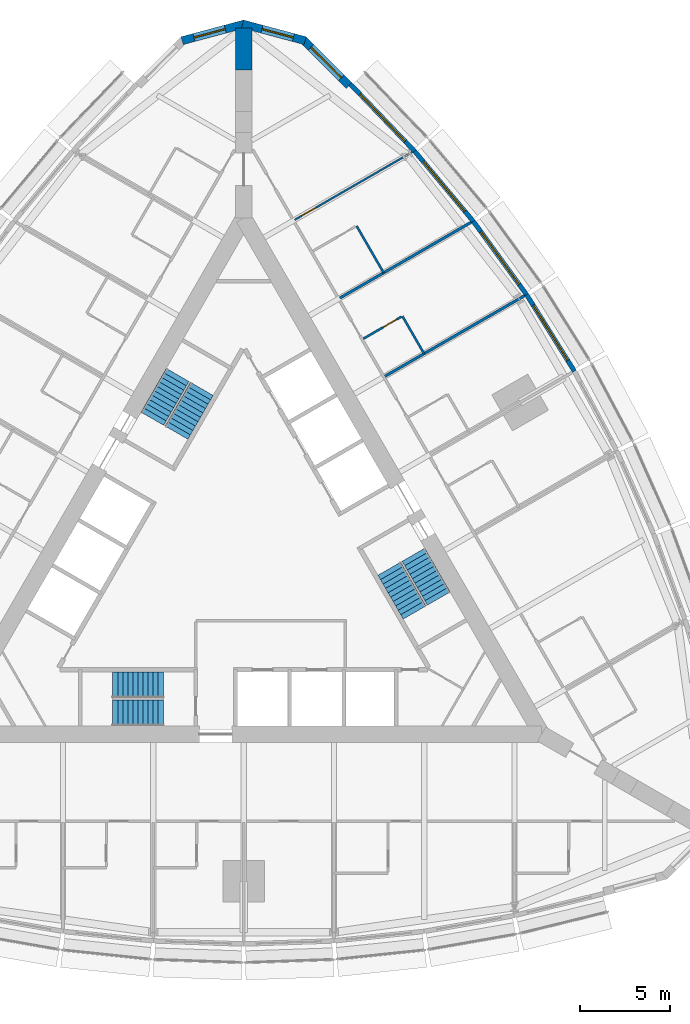
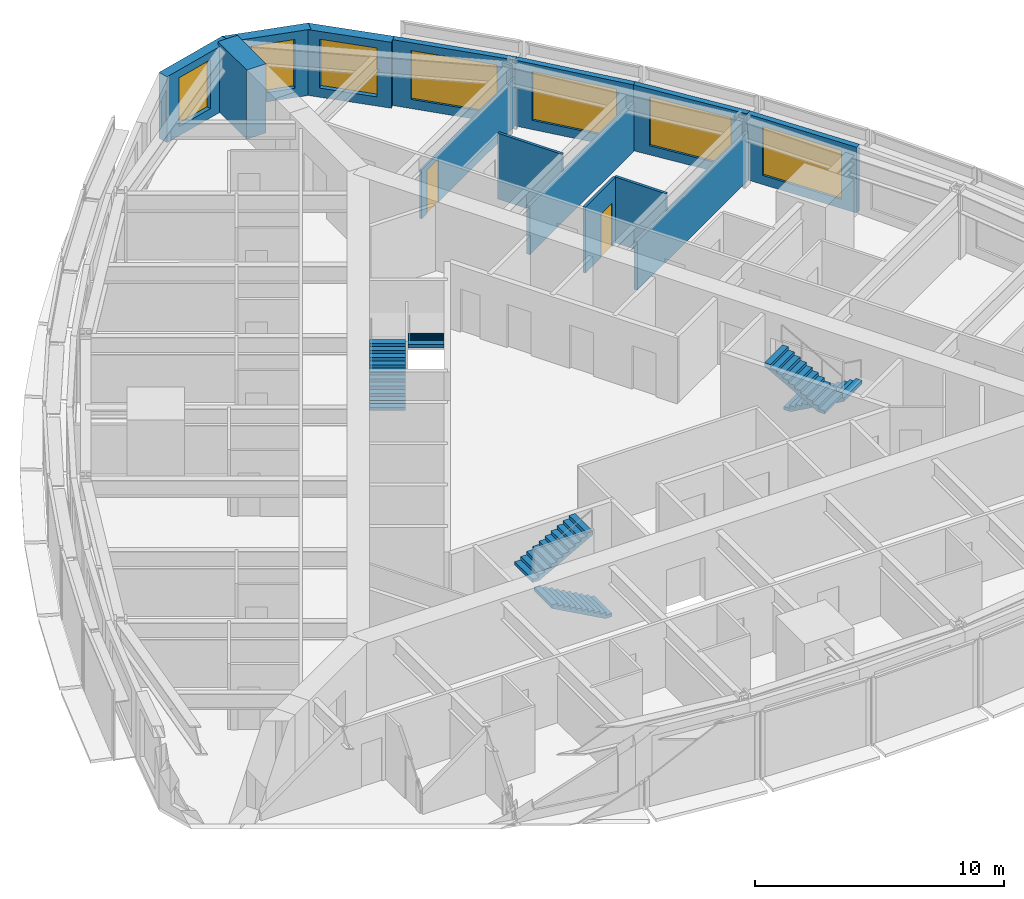
# One storey, part 13 of 14: 14 walls, 7 windows, 6 stair flights, 2 doors, 9 openings, 3 elements without a shape of their own.
"""IFC4 building model written with IfcOpenShell, lengths in metres."""

from ifc_helpers import new_model, si_unit, direction, frame, frame_2d, origin, place, context, subcontext, project, spatial, polyline, rectangle, outline, extrude, material, layer, layer_set, type_object, element, fill, aggregate, save


model = new_model("IFC4")

# Units and contexts
model_context = context("Model", 3, precision=1e-05, world=origin(), true_north=direction((0.0, 1.0)))
body_context = subcontext(model_context, "Body", "Model", "MODEL_VIEW")
ifc_project = project(units=[si_unit("LENGTHUNIT", "METRE"), si_unit("AREAUNIT", "SQUARE_METRE"), si_unit("VOLUMEUNIT", "CUBIC_METRE"), si_unit("PLANEANGLEUNIT", "RADIAN"), si_unit("MASSUNIT", "GRAM", prefix="KILO")], contexts=[model_context])

# Site, building, storey
site_placement = place(None, origin())
site = spatial("IfcSite", under=ifc_project, at=site_placement, CompositionType="ELEMENT")
building_placement = place(site_placement, origin())
building = spatial("IfcBuilding", under=site, at=building_placement, Name="Trikona Tower", CompositionType="ELEMENT")
storey_placement = place(building_placement, frame((0.0, 0.0, 121.5)))
storey = spatial("IfcBuildingStorey", under=building, at=storey_placement, Name="L31", CompositionType="ELEMENT", Elevation=121.5)

# Wall
ifc_material_1 = material(Name="Metal stud and cement board", Category="gypsum")
ifc_layer_1 = layer(ifc_material_1, 0.1201171875)
ifc_layer_set_1 = layer_set([ifc_layer_1], Name="Bathroom wall 120")
wall_type_1 = type_object("IfcWallType", Name="Bathroom wall 120", PredefinedType="PLUMBINGWALL", material=ifc_layer_set_1)
wall_1_placement = place(storey_placement, frame((9.993408203125, 11.543212890625, 0.0), z_axis=(0.0, 0.0, 1.0), x_axis=(-0.500001309137, 0.866024647952, 0.0)))
element("IfcWall", 1, at=wall_1_placement, inside=storey, type_object=wall_type_1, Name="Bathroom wall 3111", PredefinedType="PLUMBINGWALL", context=body_context, shape_type="SweptSolid", body=[
    extrude(rectangle(XDim=2.39990234375, YDim=0.1201171875, at=frame_2d((1.199951171875, 0.0))), origin(), (0.0, 0.0, 1.0), 3.235107421875),
])

# Wall, opening, door
wall_2_placement = place(storey_placement, frame((6.62841796875, 12.37158203125, 0.0), z_axis=(0.0, 0.0, 1.0), x_axis=(0.866005645448, 0.500034220881, 0.0)))
wall_2 = element("IfcWall", 2, at=wall_2_placement, inside=storey, type_object=wall_type_1, Name="Bathroom wall 3111", PredefinedType="PLUMBINGWALL", context=body_context, shape_type="SweptSolid", body=[
    extrude(rectangle(XDim=2.440185546875, YDim=0.1201171875, at=frame_2d((1.22021484375, 0.0))), origin(), (0.0, 0.0, 1.0), 3.235107421875),
])
opening_1_placement = place(wall_2_placement, frame((1.25, 0.0, 0.0)))
opening_1 = element("IfcOpeningElement", 3, at=opening_1_placement, cuts=wall_2, Name="Opening D2", PredefinedType="OPENING", context=body_context, shape_type="SweptSolid", body=[
    extrude(rectangle(XDim=0.89990234375, YDim=2.1298828125, at=frame_2d((0.449951171875, 1.06494140625))), frame((0.0, 0.070068359375, 0.0), z_axis=(0.0, -1.0, 0.0), x_axis=(1.0, 0.0, 0.0)), (0.0, 0.0, 1.0), 0.14013671875),
])
ifc_material_2 = material(Name="Steel door frame with solid-core timber leaf", Category="steel")
door_type_1 = type_object("IfcDoorType", Name="Bathroom door 900x2130", OperationType="SLIDING_TO_LEFT", PredefinedType="DOOR", material=ifc_material_2)
door_1_placement = place(opening_1_placement, origin())
door_1 = element("IfcDoor", 4, at=door_1_placement, inside=storey, type_object=door_type_1, Name="Bathroom door 3111", OperationType="SLIDING_TO_LEFT", OverallHeight=2.1298828125, OverallWidth=0.89990234375, PredefinedType="DOOR", context=body_context, shape_type="SweptSolid", body=[
    extrude(rectangle(XDim=0.89990234375, YDim=2.1298828125, at=frame_2d((0.449951171875, 1.06494140625))), frame((0.0, 0.02490234375, 0.0), z_axis=(0.0, -1.0, 0.0), x_axis=(1.0, 0.0, 0.0)), (0.0, 0.0, 1.0), 0.050048828125),
])
fill(opening_1, door_1)

# Wall
wall_3_placement = place(storey_placement, frame((7.75341796875, 16.0234375, 0.0), z_axis=(0.0, 0.0, 1.0), x_axis=(-0.499990139034, 0.866031096941, 0.0)))
element("IfcWall", 5, at=wall_3_placement, inside=storey, type_object=wall_type_1, Name="Bathroom wall 3112.1", PredefinedType="PLUMBINGWALL", context=body_context, shape_type="SweptSolid", body=[
    extrude(rectangle(XDim=3.0, YDim=0.1201171875, at=frame_2d((1.5, 0.0))), origin(), (0.0, 0.0, 1.0), 3.235107421875),
])

# Wall, opening, window
ifc_material_3 = material(Name="Brick-faced precast concrete", Category="masonry")
ifc_layer_2 = layer(ifc_material_3, 0.449951171875)
ifc_layer_set_2 = layer_set([ifc_layer_2], Name="Brick-faced corner wall 450")
wall_type_2 = type_object("IfcWallType", Name="Brick-faced corner wall 450", PredefinedType="SOLIDWALL", material=ifc_layer_set_2)
wall_4_placement = place(storey_placement, frame((5.8408203125, 26.39892578125, 0.0), z_axis=(0.0, 0.0, 1.0), x_axis=(-0.707106781187, 0.707106781187, 0.0)))
wall_4 = element("IfcWall", 6, at=wall_4_placement, inside=storey, type_object=wall_type_2, Name="External wall L31-20", PredefinedType="SOLIDWALL", context=body_context, shape_type="SweptSolid", body=[
    extrude(rectangle(XDim=3.586181640625, YDim=0.449951171875, at=frame_2d((1.79296875, 0.0))), origin(), (0.0, 0.0, 1.0), 3.235107421875),
])
opening_2_placement = place(wall_4_placement, frame((0.59326171875, 0.0, 0.449951171875)))
opening_2 = element("IfcOpeningElement", 7, at=opening_2_placement, cuts=wall_4, Name="Opening W2424", PredefinedType="OPENING", context=body_context, shape_type="SweptSolid", body=[
    extrude(rectangle(XDim=2.39990234375, YDim=2.39990234375, at=frame_2d((1.199951171875, 1.199951171875))), frame((0.0, 0.23486328125, 0.0), z_axis=(0.0, -1.0, 0.0), x_axis=(1.0, 0.0, 0.0)), (0.0, 0.0, 1.0), 0.469970703125),
])
ifc_material_4 = material(Name="Aluminium-framed double glazing", Category="aluminium")
window_type_1 = type_object("IfcWindowType", Name="Window 2400x2400", PartitioningType="SINGLE_PANEL", PredefinedType="WINDOW", material=ifc_material_4)
window_1_placement = place(opening_2_placement, origin())
window_1 = element("IfcWindow", 8, at=window_1_placement, inside=storey, type_object=window_type_1, Name="Window 3112", OverallHeight=2.39990234375, OverallWidth=2.39990234375, PartitioningType="SINGLE_PANEL", PredefinedType="WINDOW", context=body_context, shape_type="SweptSolid", body=[
    extrude(rectangle(XDim=2.39990234375, YDim=2.39990234375, at=frame_2d((1.199951171875, 1.199951171875))), frame((0.0, 0.030029296875, 0.0), z_axis=(0.0, -1.0, 0.0), x_axis=(1.0, 0.0, 0.0)), (0.0, 0.0, 1.0), 0.06005859375),
])
fill(opening_2, window_1)

wall_5_placement = place(storey_placement, frame((3.406005859375, 28.876708984375, 0.0), z_axis=(0.0, 0.0, 1.0), x_axis=(-0.965924653531, 0.258823421857, 0.0)))
wall_5 = element("IfcWall", 9, at=wall_5_placement, inside=storey, type_object=wall_type_2, Name="External wall L31-21", PredefinedType="SOLIDWALL", context=body_context, shape_type="SweptSolid", body=[
    extrude(outline(polyline([(3.58642578125, 0.22509765625), (3.526611328125, 0.22509765625), (3.035400390625, 0.09326171875), (3.0, 0.22509765625), (0.0, 0.22509765625), (0.0, -0.22509765625), (3.58642578125, -0.22509765625), (3.58642578125, 0.22509765625)])), origin(), (0.0, 0.0, 1.0), 3.235107421875),
])
opening_3_placement = place(wall_5_placement, frame((0.6748046875, 0.0, 0.449951171875)))
opening_3 = element("IfcOpeningElement", 10, at=opening_3_placement, cuts=wall_5, Name="Opening W1824", PredefinedType="OPENING", context=body_context, shape_type="SweptSolid", body=[
    extrude(rectangle(XDim=1.800048828125, YDim=2.39990234375, at=frame_2d((0.89990234375, 1.199951171875))), frame((0.0, 0.23486328125, 0.0), z_axis=(0.0, -1.0, 0.0), x_axis=(1.0, 0.0, 0.0)), (0.0, 0.0, 1.0), 0.469970703125),
])
ifc_material_5 = material(Name="Aluminium-framed double glazing", Category="aluminium")
window_type_2 = type_object("IfcWindowType", Name="Window 1800x2400", PartitioningType="SINGLE_PANEL", PredefinedType="WINDOW", material=ifc_material_5)
window_2_placement = place(opening_3_placement, origin())
window_2 = element("IfcWindow", 11, at=window_2_placement, inside=storey, type_object=window_type_2, Name="Window 3112", OverallHeight=2.39990234375, OverallWidth=1.800048828125, PartitioningType="SINGLE_PANEL", PredefinedType="WINDOW", context=body_context, shape_type="SweptSolid", body=[
    extrude(rectangle(XDim=1.800048828125, YDim=2.39990234375, at=frame_2d((0.89990234375, 1.199951171875))), frame((0.0, 0.030029296875, 0.0), z_axis=(0.0, -1.0, 0.0), x_axis=(1.0, 0.0, 0.0)), (0.0, 0.0, 1.0), 0.06005859375),
])
fill(opening_3, window_2)

wall_6_placement = place(storey_placement, frame((0.05810546875, 29.804931640625, 0.0), z_axis=(0.0, 0.0, 1.0), x_axis=(-0.965924653531, -0.258823421857, 0.0)))
wall_6 = element("IfcWall", 12, at=wall_6_placement, inside=storey, type_object=wall_type_2, Name="External wall L31-22", PredefinedType="SOLIDWALL", context=body_context, shape_type="SweptSolid", body=[
    extrude(outline(polyline([(3.58642578125, 0.22509765625), (0.58642578125, 0.22509765625), (0.551025390625, 0.09326171875), (0.0595703125, 0.22509765625), (0.0, 0.22509765625), (0.0, -0.22509765625), (3.58642578125, -0.22509765625), (3.58642578125, 0.22509765625)])), origin(), (0.0, 0.0, 1.0), 3.235107421875),
])
opening_4_placement = place(wall_6_placement, frame((1.111328125, 0.0, 0.449951171875)))
opening_4 = element("IfcOpeningElement", 13, at=opening_4_placement, cuts=wall_6, Name="Opening W1824", PredefinedType="OPENING", context=body_context, shape_type="SweptSolid", body=[
    extrude(rectangle(XDim=1.800048828125, YDim=2.39990234375, at=frame_2d((0.89990234375, 1.199951171875))), frame((0.0, 0.23486328125, 0.0), z_axis=(0.0, -1.0, 0.0), x_axis=(1.0, 0.0, 0.0)), (0.0, 0.0, 1.0), 0.469970703125),
])
window_3_placement = place(opening_4_placement, origin())
window_3 = element("IfcWindow", 14, at=window_3_placement, inside=storey, type_object=window_type_2, Name="Window 3113", OverallHeight=2.39990234375, OverallWidth=1.800048828125, PartitioningType="SINGLE_PANEL", PredefinedType="WINDOW", context=body_context, shape_type="SweptSolid", body=[
    extrude(rectangle(XDim=1.800048828125, YDim=2.39990234375, at=frame_2d((0.89990234375, 1.199951171875))), frame((0.0, 0.030029296875, 0.0), z_axis=(0.0, -1.0, 0.0), x_axis=(1.0, 0.0, 0.0)), (0.0, 0.0, 1.0), 0.06005859375),
])
fill(opening_4, window_3)

# Wall
ifc_material_6 = material(Name="Concrete f'c 10000 psi", Category="concrete")
ifc_layer_3 = layer(ifc_material_6, 0.89990234375)
ifc_layer_set_3 = layer_set([ifc_layer_3], Name="Buttress wall 900")
wall_type_3 = type_object("IfcWallType", Name="Buttress wall 900", PredefinedType="SHEAR", material=ifc_layer_set_3)
wall_7_placement = place(storey_placement, frame((0.0, 27.2626953125, 0.0), z_axis=(0.0, 0.0, 1.0), x_axis=(0.0, 1.0, 0.0)))
element("IfcWall", 15, at=wall_7_placement, inside=storey, type_object=wall_type_3, Name="Buttress wall 2 part 4", PredefinedType="SHEAR", context=body_context, shape_type="SweptSolid", body=[
    extrude(rectangle(XDim=2.3095703125, YDim=0.89990234375, at=frame_2d((1.15478515625, 0.0))), origin(), (0.0, 0.0, 1.0), 3.39990234375),
])

# Wall, opening, window
ifc_material_7 = material(Name="Insulated precast concrete spandrel panel", Category="concrete")
ifc_layer_4 = layer(ifc_material_7, 0.25)
ifc_layer_set_4 = layer_set([ifc_layer_4], Name="Inner skin wall 250")
wall_type_4 = type_object("IfcWallType", Name="Inner skin wall 250", PredefinedType="STANDARD", material=ifc_layer_set_4)
wall_8_placement = place(storey_placement, frame((18.31884765625, 10.5712890625, 0.0), z_axis=(0.0, 0.0, 1.0), x_axis=(-0.529990167382, 0.84800378683, 0.0)))
wall_8 = element("IfcWall", 16, at=wall_8_placement, inside=storey, type_object=wall_type_4, Name="External wall L31-16", PredefinedType="STANDARD", context=body_context, shape_type="SweptSolid", body=[
    extrude(rectangle(XDim=5.003173828125, YDim=0.25, at=frame_2d((2.50146484375, 0.0))), origin(), (0.0, 0.0, 1.0), 3.235107421875),
])
opening_5_placement = place(wall_8_placement, frame((0.701416015625, 0.0, 0.449951171875)))
opening_5 = element("IfcOpeningElement", 17, at=opening_5_placement, cuts=wall_8, Name="Opening W3624", PredefinedType="OPENING", context=body_context, shape_type="SweptSolid", body=[
    extrude(rectangle(XDim=3.60009765625, YDim=2.39990234375, at=frame_2d((1.800048828125, 1.199951171875))), frame((0.0, 0.135009765625, 0.0), z_axis=(0.0, -1.0, 0.0), x_axis=(1.0, 0.0, 0.0)), (0.0, 0.0, 1.0), 0.27001953125),
])
ifc_material_8 = material(Name="Aluminium-framed double glazing", Category="aluminium")
window_type_3 = type_object("IfcWindowType", Name="Window 3600x2400", PartitioningType="SINGLE_PANEL", PredefinedType="WINDOW", material=ifc_material_8)
window_4_placement = place(opening_5_placement, origin())
window_4 = element("IfcWindow", 18, at=window_4_placement, inside=storey, type_object=window_type_3, Name="Window 3110", OverallHeight=2.39990234375, OverallWidth=3.60009765625, PartitioningType="SINGLE_PANEL", PredefinedType="WINDOW", context=body_context, shape_type="SweptSolid", body=[
    extrude(rectangle(XDim=3.60009765625, YDim=2.39990234375, at=frame_2d((1.800048828125, 1.199951171875))), frame((0.0, 0.030029296875, 0.0), z_axis=(0.0, -1.0, 0.0), x_axis=(1.0, 0.0, 0.0)), (0.0, 0.0, 1.0), 0.06005859375),
])
fill(opening_5, window_4)

wall_9_placement = place(storey_placement, frame((15.672119140625, 14.806640625, 0.0), z_axis=(0.0, 0.0, 1.0), x_axis=(-0.587669188412, 0.809101307001, 0.0)))
wall_9 = element("IfcWall", 19, at=wall_9_placement, inside=storey, type_object=wall_type_4, Name="External wall L31-17", PredefinedType="STANDARD", context=body_context, shape_type="SweptSolid", body=[
    extrude(rectangle(XDim=5.027587890625, YDim=0.25, at=frame_2d((2.513671875, 0.0))), origin(), (0.0, 0.0, 1.0), 3.235107421875),
])
opening_6_placement = place(wall_9_placement, frame((0.7138671875, 0.0, 0.449951171875)))
opening_6 = element("IfcOpeningElement", 20, at=opening_6_placement, cuts=wall_9, Name="Opening W3624", PredefinedType="OPENING", context=body_context, shape_type="SweptSolid", body=[
    extrude(rectangle(XDim=3.60009765625, YDim=2.39990234375, at=frame_2d((1.800048828125, 1.199951171875))), frame((0.0, 0.135009765625, 0.0), z_axis=(0.0, -1.0, 0.0), x_axis=(1.0, 0.0, 0.0)), (0.0, 0.0, 1.0), 0.27001953125),
])
window_5_placement = place(opening_6_placement, origin())
window_5 = element("IfcWindow", 21, at=window_5_placement, inside=storey, type_object=window_type_3, Name="Window 3111", OverallHeight=2.39990234375, OverallWidth=3.60009765625, PartitioningType="SINGLE_PANEL", PredefinedType="WINDOW", context=body_context, shape_type="SweptSolid", body=[
    extrude(rectangle(XDim=3.60009765625, YDim=2.39990234375, at=frame_2d((1.800048828125, 1.199951171875))), frame((0.0, 0.030029296875, 0.0), z_axis=(0.0, -1.0, 0.0), x_axis=(1.0, 0.0, 0.0)), (0.0, 0.0, 1.0), 0.06005859375),
])
fill(opening_6, window_5)

wall_10_placement = place(storey_placement, frame((12.722900390625, 18.86767578125, 0.0), z_axis=(0.0, 0.0, 1.0), x_axis=(-0.641810386606, 0.766863369607, 0.0)))
wall_10 = element("IfcWall", 22, at=wall_10_placement, inside=storey, type_object=wall_type_4, Name="External wall L31-18", PredefinedType="STANDARD", context=body_context, shape_type="SweptSolid", body=[
    extrude(rectangle(XDim=5.075927734375, YDim=0.25, at=frame_2d((2.5380859375, 0.0))), origin(), (0.0, 0.0, 1.0), 3.235107421875),
])
opening_7_placement = place(wall_10_placement, frame((0.738037109375, 0.0, 0.449951171875)))
opening_7 = element("IfcOpeningElement", 23, at=opening_7_placement, cuts=wall_10, Name="Opening W3624", PredefinedType="OPENING", context=body_context, shape_type="SweptSolid", body=[
    extrude(rectangle(XDim=3.60009765625, YDim=2.39990234375, at=frame_2d((1.800048828125, 1.199951171875))), frame((0.0, 0.135009765625, 0.0), z_axis=(0.0, -1.0, 0.0), x_axis=(1.0, 0.0, 0.0)), (0.0, 0.0, 1.0), 0.27001953125),
])
window_6_placement = place(opening_7_placement, origin())
window_6 = element("IfcWindow", 24, at=window_6_placement, inside=storey, type_object=window_type_3, Name="Window 3112.1", OverallHeight=2.39990234375, OverallWidth=3.60009765625, PartitioningType="SINGLE_PANEL", PredefinedType="WINDOW", context=body_context, shape_type="SweptSolid", body=[
    extrude(rectangle(XDim=3.60009765625, YDim=2.39990234375, at=frame_2d((1.800048828125, 1.199951171875))), frame((0.0, 0.030029296875, 0.0), z_axis=(0.0, -1.0, 0.0), x_axis=(1.0, 0.0, 0.0)), (0.0, 0.0, 1.0), 0.06005859375),
])
fill(opening_7, window_6)

wall_11_placement = place(storey_placement, frame((9.470703125, 22.75390625, 0.0), z_axis=(0.0, 0.0, 1.0), x_axis=(-0.691719937936, 0.722165858693, 0.0)))
wall_11 = element("IfcWall", 25, at=wall_11_placement, inside=storey, type_object=wall_type_4, Name="External wall L31-19", PredefinedType="STANDARD", context=body_context, shape_type="SweptSolid", body=[
    extrude(rectangle(XDim=5.148193359375, YDim=0.25, at=frame_2d((2.57421875, 0.0))), origin(), (0.0, 0.0, 1.0), 3.235107421875),
])
opening_8_placement = place(wall_11_placement, frame((0.77392578125, 0.0, 0.449951171875)))
opening_8 = element("IfcOpeningElement", 26, at=opening_8_placement, cuts=wall_11, Name="Opening W3624", PredefinedType="OPENING", context=body_context, shape_type="SweptSolid", body=[
    extrude(rectangle(XDim=3.60009765625, YDim=2.39990234375, at=frame_2d((1.800048828125, 1.199951171875))), frame((0.0, 0.135009765625, 0.0), z_axis=(0.0, -1.0, 0.0), x_axis=(1.0, 0.0, 0.0)), (0.0, 0.0, 1.0), 0.27001953125),
])
window_7_placement = place(opening_8_placement, origin())
window_7 = element("IfcWindow", 27, at=window_7_placement, inside=storey, type_object=window_type_3, Name="Window 3112", OverallHeight=2.39990234375, OverallWidth=3.60009765625, PartitioningType="SINGLE_PANEL", PredefinedType="WINDOW", context=body_context, shape_type="SweptSolid", body=[
    extrude(rectangle(XDim=3.60009765625, YDim=2.39990234375, at=frame_2d((1.800048828125, 1.199951171875))), frame((0.0, 0.030029296875, 0.0), z_axis=(0.0, -1.0, 0.0), x_axis=(1.0, 0.0, 0.0)), (0.0, 0.0, 1.0), 0.06005859375),
])
fill(opening_8, window_7)

# Walls
ifc_material_9 = material(Name="Metal stud and gypsum board, 1-hour acoustic", Category="gypsum")
ifc_layer_5 = layer(ifc_material_9, 0.14990234375)
ifc_layer_set_5 = layer_set([ifc_layer_5], Name="Party wall 150")
wall_type_5 = type_object("IfcWallType", Name="Party wall 150", PredefinedType="PARTITIONING", material=ifc_layer_set_5)
wall_12_placement = place(storey_placement, frame((7.82861328125, 10.293212890625, 0.0), z_axis=(0.0, 0.0, 1.0), x_axis=(0.866027015393, 0.499997208602, 0.0)))
element("IfcWall", 28, at=wall_12_placement, inside=storey, type_object=wall_type_5, Name="Partition L31 F2 u5", PredefinedType="PARTITIONING", context=body_context, shape_type="SweptSolid", body=[
    extrude(rectangle(XDim=8.92236328125, YDim=0.14990234375, at=frame_2d((4.461181640625, 0.0))), origin(), (0.0, 0.0, 1.0), 2.38916015625),
])
wall_13_placement = place(storey_placement, frame((5.32861328125, 14.623291015625, 0.0), z_axis=(0.0, 0.0, 1.0), x_axis=(0.866011723728, 0.500023693804, 0.0)))
element("IfcWall", 29, at=wall_13_placement, inside=storey, type_object=wall_type_5, Name="Partition L31 F2 u10", PredefinedType="PARTITIONING", context=body_context, shape_type="SweptSolid", body=[
    extrude(rectangle(XDim=8.39501953125, YDim=0.14990234375, at=frame_2d((4.197509765625, 0.0))), origin(), (0.0, 0.0, 1.0), 2.38916015625),
])

# Wall, opening, door
ifc_material_10 = material(Name="Metal stud and gypsum board, acoustic", Category="gypsum")
ifc_layer_6 = layer(ifc_material_10, 0.10009765625)
ifc_layer_set_6 = layer_set([ifc_layer_6], Name="Suite partition 100")
wall_type_6 = type_object("IfcWallType", Name="Suite partition 100", PredefinedType="PARTITIONING", material=ifc_layer_set_6)
wall_14_placement = place(storey_placement, frame((2.82861328125, 18.95361328125, 0.0), z_axis=(0.0, 0.0, 1.0), x_axis=(0.866015739374, 0.500016738876, 0.0)))
wall_14 = element("IfcWall", 30, at=wall_14_placement, inside=storey, type_object=wall_type_6, Name="Suite partition L31 F2 u15", PredefinedType="PARTITIONING", context=body_context, shape_type="SweptSolid", body=[
    extrude(rectangle(XDim=7.516357421875, YDim=0.10009765625, at=frame_2d((3.75830078125, 0.0))), origin(), (0.0, 0.0, 1.0), 2.38916015625),
])
opening_9_placement = place(wall_14_placement, frame((0.449951171875, 0.0, 0.0)))
opening_9 = element("IfcOpeningElement", 31, at=opening_9_placement, cuts=wall_14, Name="Opening D13", PredefinedType="OPENING", context=body_context, shape_type="SweptSolid", body=[
    extrude(rectangle(XDim=0.89990234375, YDim=2.1298828125, at=frame_2d((0.449951171875, 1.06494140625))), frame((0.0, 0.06005859375, 0.0), z_axis=(0.0, -1.0, 0.0), x_axis=(1.0, 0.0, 0.0)), (0.0, 0.0, 1.0), 0.1201171875),
])
ifc_material_11 = material(Name="Steel door frame with solid-core timber leaf", Category="steel")
door_type_2 = type_object("IfcDoorType", Name="Suite door 900x2130", OperationType="SINGLE_SWING_LEFT", PredefinedType="DOOR", material=ifc_material_11)
door_2_placement = place(opening_9_placement, origin())
door_2 = element("IfcDoor", 32, at=door_2_placement, inside=storey, type_object=door_type_2, Name="Suite door 3112", OperationType="SINGLE_SWING_LEFT", OverallHeight=2.1298828125, OverallWidth=0.89990234375, PredefinedType="DOOR", context=body_context, shape_type="SweptSolid", body=[
    extrude(rectangle(XDim=0.89990234375, YDim=2.1298828125, at=frame_2d((0.449951171875, 1.06494140625))), frame((0.0, 0.02490234375, 0.0), z_axis=(0.0, -1.0, 0.0), x_axis=(1.0, 0.0, 0.0)), (0.0, 0.0, 1.0), 0.050048828125),
])
fill(opening_9, door_2)

# Stair, stair flights
ifc_material_12 = material(Name="Concrete f'c 5000 psi", Category="concrete")
stair_type = type_object("IfcStairType", Name="Core stair", PredefinedType="HALF_TURN_STAIR", material=ifc_material_12)
stair_1_placement = place(storey_placement, origin())
stair_1 = element("IfcStair", 33, at=stair_1_placement, inside=storey, type_object=stair_type, Name="Stair A L31", PredefinedType="HALF_TURN_STAIR")
ifc_material_13 = material(Name="Concrete f'c 5000 psi", Category="concrete")
stair_flight_type = type_object("IfcStairFlightType", Name="Core stair flight 1450", PredefinedType="STRAIGHT", material=ifc_material_13)
stair_flight_1_placement = place(storey_placement, frame((-4.449951171875, -8.351318359375, 0.0), z_axis=(0.0, 0.0, 1.0), x_axis=(-1.0, 0.0, 0.0)))
stair_flight_1 = element("IfcStairFlight", 34, at=stair_flight_1_placement, type_object=stair_flight_type, Name="ST-A flight 1", NumberOfRisers=11, NumberOfTreads=10, PredefinedType="STRAIGHT", RiserHeight=0.154545, TreadLength=0.28, context=body_context, shape_type="SweptSolid", body=[
    extrude(outline(polyline([(0.0, 0.0), (0.0, 0.154541015625), (0.280029296875, 0.154541015625), (0.280029296875, 0.30908203125), (0.56005859375, 0.30908203125), (0.56005859375, 0.463623046875), (0.840087890625, 0.463623046875), (0.840087890625, 0.6181640625), (1.1201171875, 0.6181640625), (1.1201171875, 0.772705078125), (1.39990234375, 0.772705078125), (1.39990234375, 0.92724609375), (1.679931640625, 0.92724609375), (1.679931640625, 1.081787109375), (1.9599609375, 1.081787109375), (1.9599609375, 1.236328125), (2.239990234375, 1.236328125), (2.239990234375, 1.390869140625), (2.52001953125, 1.390869140625), (2.52001953125, 1.54541015625), (2.800048828125, 1.54541015625), (2.800048828125, 1.699951171875), (2.800048828125, 1.374267578125), (0.310302734375, 0.0), (0.0, 0.0)])), frame((0.0, 0.72509765625, 0.0), z_axis=(0.0, -1.0, 0.0), x_axis=(1.0, 0.0, 0.0)), (0.0, 0.0, 1.0), 1.449951171875),
])
stair_flight_2_placement = place(storey_placement, frame((-7.25, -6.80126953125, 1.699951171875), z_axis=(0.0, 0.0, 1.0), x_axis=(1.0, 0.0, 0.0)))
stair_flight_2 = element("IfcStairFlight", 35, at=stair_flight_2_placement, type_object=stair_flight_type, Name="ST-A flight 2", NumberOfRisers=11, NumberOfTreads=10, PredefinedType="STRAIGHT", RiserHeight=0.154545, TreadLength=0.28, context=body_context, shape_type="SweptSolid", body=[
    extrude(outline(polyline([(0.0, 0.0), (0.0, 0.154541015625), (0.280029296875, 0.154541015625), (0.280029296875, 0.30908203125), (0.56005859375, 0.30908203125), (0.56005859375, 0.463623046875), (0.840087890625, 0.463623046875), (0.840087890625, 0.6181640625), (1.1201171875, 0.6181640625), (1.1201171875, 0.772705078125), (1.39990234375, 0.772705078125), (1.39990234375, 0.92724609375), (1.679931640625, 0.92724609375), (1.679931640625, 1.081787109375), (1.9599609375, 1.081787109375), (1.9599609375, 1.236328125), (2.239990234375, 1.236328125), (2.239990234375, 1.390869140625), (2.52001953125, 1.390869140625), (2.52001953125, 1.54541015625), (2.800048828125, 1.54541015625), (2.800048828125, 1.699951171875), (2.800048828125, 1.374267578125), (0.310302734375, 0.0), (0.0, 0.0)])), frame((0.0, 0.72509765625, 0.0), z_axis=(0.0, -1.0, 0.0), x_axis=(1.0, 0.0, 0.0)), (0.0, 0.0, 1.0), 1.449951171875),
])
aggregate(stair_1, [stair_flight_1, stair_flight_2])

stair_2_placement = place(storey_placement, origin())
stair_2 = element("IfcStair", 36, at=stair_2_placement, inside=storey, type_object=stair_type, Name="Stair B L31", PredefinedType="HALF_TURN_STAIR")
stair_flight_3_placement = place(storey_placement, frame((9.407470703125, 0.408447265625, 0.0), z_axis=(0.0, 0.0, 1.0), x_axis=(0.5, -0.866025403784, 0.0)))
stair_flight_3 = element("IfcStairFlight", 37, at=stair_flight_3_placement, type_object=stair_flight_type, Name="ST-B flight 1", NumberOfRisers=11, NumberOfTreads=10, PredefinedType="STRAIGHT", RiserHeight=0.154545, TreadLength=0.28, context=body_context, shape_type="SweptSolid", body=[
    extrude(outline(polyline([(0.0, 0.0), (0.0, 0.154541015625), (0.280029296875, 0.154541015625), (0.280029296875, 0.30908203125), (0.56005859375, 0.30908203125), (0.56005859375, 0.463623046875), (0.840087890625, 0.463623046875), (0.840087890625, 0.6181640625), (1.1201171875, 0.6181640625), (1.1201171875, 0.772705078125), (1.39990234375, 0.772705078125), (1.39990234375, 0.92724609375), (1.679931640625, 0.92724609375), (1.679931640625, 1.081787109375), (1.9599609375, 1.081787109375), (1.9599609375, 1.236328125), (2.239990234375, 1.236328125), (2.239990234375, 1.390869140625), (2.52001953125, 1.390869140625), (2.52001953125, 1.54541015625), (2.800048828125, 1.54541015625), (2.800048828125, 1.699951171875), (2.800048828125, 1.374267578125), (0.310302734375, 0.0), (0.0, 0.0)])), frame((0.0, 0.72509765625, 0.0), z_axis=(0.0, -1.0, 0.0), x_axis=(1.0, 0.0, 0.0)), (0.0, 0.0, 1.0), 1.449951171875),
])
stair_flight_4_placement = place(storey_placement, frame((9.465087890625, -2.79150390625, 1.699951171875), z_axis=(0.0, 0.0, 1.0), x_axis=(-0.5, 0.866025403784, 0.0)))
stair_flight_4 = element("IfcStairFlight", 38, at=stair_flight_4_placement, type_object=stair_flight_type, Name="ST-B flight 2", NumberOfRisers=11, NumberOfTreads=10, PredefinedType="STRAIGHT", RiserHeight=0.154545, TreadLength=0.28, context=body_context, shape_type="SweptSolid", body=[
    extrude(outline(polyline([(0.0, 0.0), (0.0, 0.154541015625), (0.280029296875, 0.154541015625), (0.280029296875, 0.30908203125), (0.56005859375, 0.30908203125), (0.56005859375, 0.463623046875), (0.840087890625, 0.463623046875), (0.840087890625, 0.6181640625), (1.1201171875, 0.6181640625), (1.1201171875, 0.772705078125), (1.39990234375, 0.772705078125), (1.39990234375, 0.92724609375), (1.679931640625, 0.92724609375), (1.679931640625, 1.081787109375), (1.9599609375, 1.081787109375), (1.9599609375, 1.236328125), (2.239990234375, 1.236328125), (2.239990234375, 1.390869140625), (2.52001953125, 1.390869140625), (2.52001953125, 1.54541015625), (2.800048828125, 1.54541015625), (2.800048828125, 1.699951171875), (2.800048828125, 1.374267578125), (0.310302734375, 0.0), (0.0, 0.0)])), frame((0.0, 0.72509765625, 0.0), z_axis=(0.0, -1.0, 0.0), x_axis=(1.0, 0.0, 0.0)), (0.0, 0.0, 1.0), 1.449951171875),
])
aggregate(stair_2, [stair_flight_3, stair_flight_4])

stair_3_placement = place(storey_placement, origin())
stair_3 = element("IfcStair", 39, at=stair_3_placement, inside=storey, type_object=stair_type, Name="Stair C L31", PredefinedType="HALF_TURN_STAIR")
stair_flight_5_placement = place(storey_placement, frame((-5.057373046875, 7.94287109375, 0.0), z_axis=(0.0, 0.0, 1.0), x_axis=(0.5, 0.866025403784, 0.0)))
stair_flight_5 = element("IfcStairFlight", 40, at=stair_flight_5_placement, type_object=stair_flight_type, Name="ST-C flight 1", NumberOfRisers=11, NumberOfTreads=10, PredefinedType="STRAIGHT", RiserHeight=0.154545, TreadLength=0.28, context=body_context, shape_type="SweptSolid", body=[
    extrude(outline(polyline([(0.0, 0.0), (0.0, 0.154541015625), (0.280029296875, 0.154541015625), (0.280029296875, 0.30908203125), (0.56005859375, 0.30908203125), (0.56005859375, 0.463623046875), (0.840087890625, 0.463623046875), (0.840087890625, 0.6181640625), (1.1201171875, 0.6181640625), (1.1201171875, 0.772705078125), (1.39990234375, 0.772705078125), (1.39990234375, 0.92724609375), (1.679931640625, 0.92724609375), (1.679931640625, 1.081787109375), (1.9599609375, 1.081787109375), (1.9599609375, 1.236328125), (2.239990234375, 1.236328125), (2.239990234375, 1.390869140625), (2.52001953125, 1.390869140625), (2.52001953125, 1.54541015625), (2.800048828125, 1.54541015625), (2.800048828125, 1.699951171875), (2.800048828125, 1.374267578125), (0.310302734375, 0.0), (0.0, 0.0)])), frame((0.0, 0.72509765625, 0.0), z_axis=(0.0, -1.0, 0.0), x_axis=(1.0, 0.0, 0.0)), (0.0, 0.0, 1.0), 1.449951171875),
])
stair_flight_6_placement = place(storey_placement, frame((-2.315185546875, 9.5927734375, 1.699951171875), z_axis=(0.0, 0.0, 1.0), x_axis=(-0.5, -0.866025403784, 0.0)))
stair_flight_6 = element("IfcStairFlight", 41, at=stair_flight_6_placement, type_object=stair_flight_type, Name="ST-C flight 2", NumberOfRisers=11, NumberOfTreads=10, PredefinedType="STRAIGHT", RiserHeight=0.154545, TreadLength=0.28, context=body_context, shape_type="SweptSolid", body=[
    extrude(outline(polyline([(0.0, 0.0), (0.0, 0.154541015625), (0.280029296875, 0.154541015625), (0.280029296875, 0.30908203125), (0.56005859375, 0.30908203125), (0.56005859375, 0.463623046875), (0.840087890625, 0.463623046875), (0.840087890625, 0.6181640625), (1.1201171875, 0.6181640625), (1.1201171875, 0.772705078125), (1.39990234375, 0.772705078125), (1.39990234375, 0.92724609375), (1.679931640625, 0.92724609375), (1.679931640625, 1.081787109375), (1.9599609375, 1.081787109375), (1.9599609375, 1.236328125), (2.239990234375, 1.236328125), (2.239990234375, 1.390869140625), (2.52001953125, 1.390869140625), (2.52001953125, 1.54541015625), (2.800048828125, 1.54541015625), (2.800048828125, 1.699951171875), (2.800048828125, 1.374267578125), (0.310302734375, 0.0), (0.0, 0.0)])), frame((0.0, 0.72509765625, 0.0), z_axis=(0.0, -1.0, 0.0), x_axis=(1.0, 0.0, 0.0)), (0.0, 0.0, 1.0), 1.449951171875),
])
aggregate(stair_3, [stair_flight_5, stair_flight_6])

save(model, "model.ifc")
